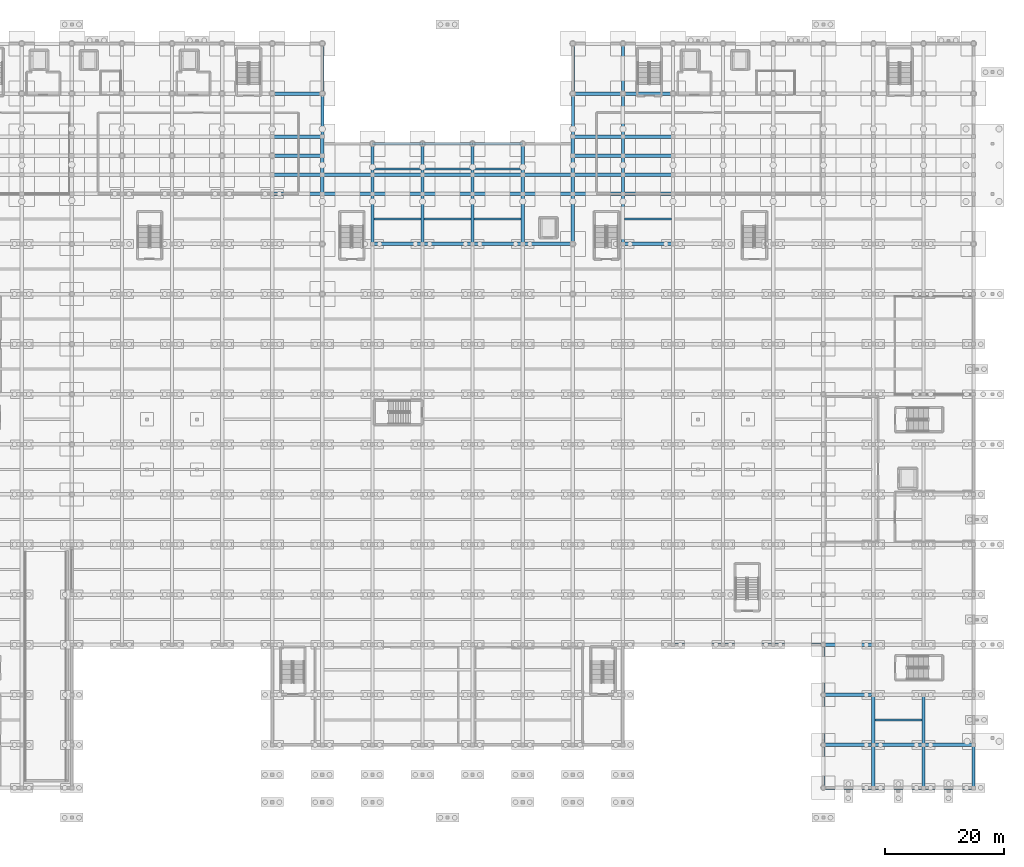
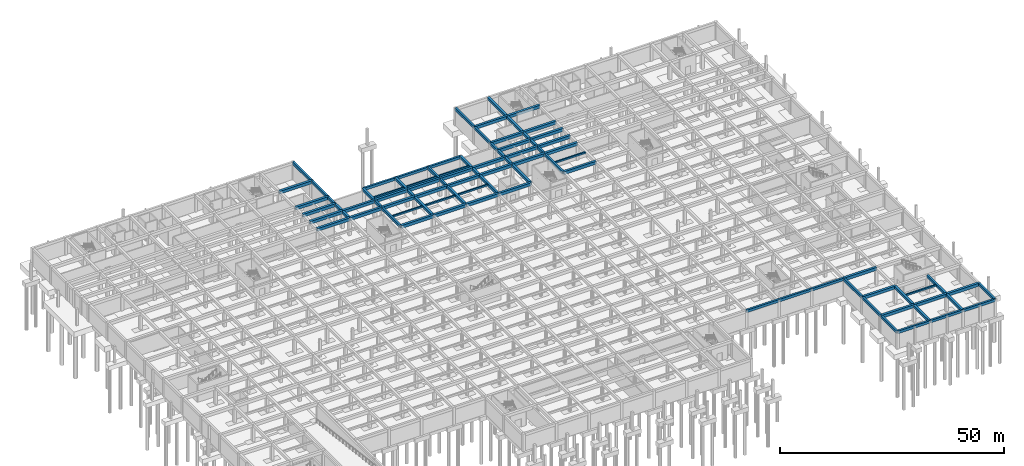
# One storey, part 20 of 51: 89 beams.
"""IFC4 building model written with IfcOpenShell, lengths in metres."""

import ifcopenshell
import ifcopenshell.guid

model = None  # the IFC model being written
_history = None  # IfcOwnerHistory: only IFC2X3 demands one
_inside = {}  # id of a spatial element -> (the spatial element, [elements in it])
_under = {}  # id of a project, library or spatial element -> (it, [spatial elements below it])
_declared = {}  # id of a project -> (the project, [libraries it declares])
_typed = {}  # id of a type object -> (the type object, [elements of that type])
_made_of = {}  # id of a material, layer set ... -> (it, [elements and type objects made of it])


def new_model(schema):
    """Start an empty IFC model of exactly this schema.

    Asked for "IFC4X3", IfcOpenShell would pick the latest addendum, in which some entities
    have other attributes; the version numbers below select the first issue.
    IFC2X3 requires an IfcOwnerHistory on every rooted entity: one is made here for all.
    """
    global model, _history
    if schema == "IFC4X3":
        model = ifcopenshell.file(schema_version=(4, 3, 0, 0))
    else:
        model = ifcopenshell.file(schema=schema)
    _inside.clear()
    _under.clear()
    _declared.clear()
    _typed.clear()
    _made_of.clear()
    _history = None
    if model.schema == "IFC2X3":
        org = make("IfcOrganization", Name="unknown")
        user = make(
            "IfcPersonAndOrganization",
            ThePerson=make("IfcPerson", FamilyName="unknown"),
            TheOrganization=org,
        )
        app = make(
            "IfcApplication",
            ApplicationDeveloper=org,
            Version="unknown",
            ApplicationFullName="unknown",
            ApplicationIdentifier="unknown",
        )
        _history = make(
            "IfcOwnerHistory",
            OwningUser=user,
            OwningApplication=app,
            ChangeAction="ADDED",
            CreationDate=0,
        )
    return model


def make(cls, **values):
    """One entity of the class cls with the attributes given. An attribute that is None is left unset."""
    return model.create_entity(
        cls, **{name: value for name, value in values.items() if value is not None}
    )


def rooted(cls, **values):
    """An entity with a GlobalId (a new one), such as an element, a storey or a relation."""
    return make(cls, GlobalId=ifcopenshell.guid.new(), OwnerHistory=_history, **values)


def si_unit(unit_type, name, prefix=None):
    """IfcSIUnit, for example si_unit("LENGTHUNIT", "METRE", prefix="MILLI")."""
    return make("IfcSIUnit", UnitType=unit_type, Prefix=prefix, Name=name)


def assignment(units):
    """IfcUnitAssignment: the units of a project."""
    return None if units is None else make("IfcUnitAssignment", Units=units)


def point(xyz):
    """IfcCartesianPoint."""
    return None if xyz is None else make("IfcCartesianPoint", Coordinates=xyz)


def direction(xyz):
    """IfcDirection."""
    return None if xyz is None else make("IfcDirection", DirectionRatios=xyz)


def frame(location, z_axis=None, x_axis=None):
    """IfcAxis2Placement3D, a coordinate frame: its origin and axes. An axis left out is left unset."""
    return make(
        "IfcAxis2Placement3D",
        Location=point(location),
        Axis=direction(z_axis),
        RefDirection=direction(x_axis),
    )


def frame_2d(location, x_axis=None):
    """IfcAxis2Placement2D, a coordinate frame in the plane: its origin and x axis."""
    return make(
        "IfcAxis2Placement2D", Location=point(location), RefDirection=direction(x_axis)
    )


def origin():
    """The frame at (0, 0, 0) with its axes left unset."""
    return frame((0.0, 0.0, 0.0))


def origin_2d():
    """The frame at (0, 0) in the plane with its x axis left unset."""
    return frame_2d((0.0, 0.0))


def place(relative_to, where):
    """IfcLocalPlacement: puts the frame where relative to a parent placement (None: the world)."""
    return make(
        "IfcLocalPlacement", PlacementRelTo=relative_to, RelativePlacement=where
    )


def context(
    kind, dimensions, precision=None, world=None, true_north=None, identifier=None
):
    """IfcGeometricRepresentationContext, for example the 3D "Model" context."""
    return make(
        "IfcGeometricRepresentationContext",
        ContextIdentifier=identifier,
        ContextType=kind,
        CoordinateSpaceDimension=dimensions,
        Precision=precision,
        WorldCoordinateSystem=world,
        TrueNorth=true_north,
    )


def subcontext(parent, identifier, kind, view, scale=None):
    """IfcGeometricRepresentationSubContext, for example "Body" below "Model"."""
    return make(
        "IfcGeometricRepresentationSubContext",
        ContextIdentifier=identifier,
        ContextType=kind,
        ParentContext=parent,
        TargetScale=scale,
        TargetView=view,
    )


def project(units=None, contexts=None):
    """IfcProject with its units and contexts."""
    return rooted(
        "IfcProject",
        Name="project",
        RepresentationContexts=contexts,
        UnitsInContext=assignment(units),
    )


def spatial(cls, under=None, at=None, **own):
    """A site, building, storey or space (cls), placed at a placement, below another one or the project."""
    s = rooted(cls, ObjectPlacement=at, **own)
    if under is not None:
        _under.setdefault(under.id(), (under, []))[1].append(s)
    return s


def profile(cls, at=None, kind="AREA", **sizes):
    """A parametric profile (cls). Its sizes go by their IFC names, for example OverallWidth=200.0."""
    return make(cls, ProfileType=kind, Position=at, **sizes)


def rectangle(**sizes):
    """IfcRectangleProfileDef."""
    return profile("IfcRectangleProfileDef", **sizes)


def extrude(swept, where, along, depth):
    """IfcExtrudedAreaSolid: the profile swept, set in the frame where, extruded along a direction by depth."""
    return make(
        "IfcExtrudedAreaSolid",
        SweptArea=swept,
        Position=where,
        ExtrudedDirection=direction(along),
        Depth=depth,
    )


def shape(context_of_items, identifier, shape_type, items):
    """IfcShapeRepresentation: the items that make up one representation, for example the "Body"."""
    return make(
        "IfcShapeRepresentation",
        ContextOfItems=context_of_items,
        RepresentationIdentifier=identifier,
        RepresentationType=shape_type,
        Items=items,
    )


def material(Name=None, Category=None):
    """IfcMaterial."""
    return make("IfcMaterial", Name=Name, Category=Category)


def material_profile(
    of_material, cross_section, Name=None, Category=None, Priority=None
):
    """IfcMaterialProfile: a cross section and its material."""
    return make(
        "IfcMaterialProfile",
        Name=Name,
        Material=of_material,
        Profile=cross_section,
        Priority=Priority,
        Category=Category,
    )


def profile_set(profiles, Name=None, composite=None):
    """IfcMaterialProfileSet."""
    return make(
        "IfcMaterialProfileSet",
        Name=Name,
        MaterialProfiles=profiles,
        CompositeProfile=composite,
    )


def made_of(thing, what):
    """Note that an element or type object is made of a material, layer set ...; save() writes the relation."""
    if what is not None:
        _made_of.setdefault(what.id(), (what, []))[1].append(thing)
    return thing


def type_object(cls, material=None, **own):
    """A type object (cls), such as IfcWallType, which elements share."""
    return made_of(rooted(cls, **own), material)


def element(
    cls,
    number,
    at=None,
    inside=None,
    cuts=None,
    type_object=None,
    material=None,
    context=None,
    identifier="Body",
    shape_type=None,
    held_by="IfcProductDefinitionShape",
    body=None,
    shapes=None,
    **own,
):
    """One element of the class cls, such as IfcWall. Its Tag is "e" and its number.

    at: its placement. inside: the storey or other place that contains it. cuts: it is an
    opening in that element (IfcRelVoidsElement). A single representation is given by context,
    identifier, shape_type and body (its items); several are given by shapes. held_by: the class
    of the entity that holds the representations. save() writes the other relations.
    """
    e = rooted(cls, Tag="e%d" % number, ObjectPlacement=at, **own)
    if body is not None:
        shapes = [shape(context, identifier, shape_type, body)]
    if shapes is not None:
        e.Representation = make(held_by, Representations=shapes)
    if inside is not None:
        _inside.setdefault(inside.id(), (inside, []))[1].append(e)
    if cuts is not None:
        rooted(
            "IfcRelVoidsElement", RelatingBuildingElement=cuts, RelatedOpeningElement=e
        )
    if type_object is not None:
        _typed.setdefault(type_object.id(), (type_object, []))[1].append(e)
    return made_of(e, material)


def aggregate(whole, parts):
    """IfcRelAggregates: a whole, such as a stair, and the parts it consists of."""
    return rooted("IfcRelAggregates", RelatingObject=whole, RelatedObjects=parts)


def save(model, path):
    """Write the relations noted so far, then the file.

    IfcRelAggregates (storeys below a building ...), IfcRelContainedInSpatialStructure (elements
    in a storey), IfcRelDefinesByType, IfcRelAssociatesMaterial and IfcRelDeclares: one each for
    every whole, place, type object, material and project.
    """
    for whole, parts in _under.values():
        aggregate(whole, parts)
    for where, things in _inside.values():
        rooted(
            "IfcRelContainedInSpatialStructure",
            RelatedElements=things,
            RelatingStructure=where,
        )
    for kind, things in _typed.values():
        rooted("IfcRelDefinesByType", RelatedObjects=things, RelatingType=kind)
    for what, things in _made_of.values():
        rooted("IfcRelAssociatesMaterial", RelatedObjects=things, RelatingMaterial=what)
    for by, libraries in _declared.values():
        rooted("IfcRelDeclares", RelatingContext=by, RelatedDefinitions=libraries)
    model.write(path)


model = new_model("IFC4")

# Units and contexts
model_context = context("Model", 3, precision=1e-05, world=origin(), true_north=direction((0.0, 1.0)))
body_context = subcontext(model_context, "Body", "Model", "MODEL_VIEW")
ifc_project = project(units=[si_unit("LENGTHUNIT", "METRE"), si_unit("AREAUNIT", "SQUARE_METRE"), si_unit("VOLUMEUNIT", "CUBIC_METRE"), si_unit("PLANEANGLEUNIT", "RADIAN"), si_unit("MASSUNIT", "GRAM", prefix="KILO")], contexts=[model_context])

# Site, building, storey
site_placement = place(None, origin())
site = spatial("IfcSite", under=ifc_project, at=site_placement, CompositionType="ELEMENT")
building_placement = place(site_placement, origin())
building = spatial("IfcBuilding", under=site, at=building_placement, Name="Varncliffe General Hospital", CompositionType="ELEMENT")
storey_placement = place(building_placement, frame((0.0, 0.0, -4.800048828125)))
storey = spatial("IfcBuildingStorey", under=building, at=storey_placement, Name="B1", CompositionType="ELEMENT", Elevation=-4.800048828125)

# Beams
ifc_material = material(Name="Concrete C35/45 (CSA A23.1 35 MPa)", Category="concrete")
ifc_material_profile_1 = material_profile(ifc_material, rectangle(XDim=0.550048828125, YDim=0.699951171875, at=origin_2d()), Name="RC 550x700")
ifc_profile_set_1 = profile_set([ifc_material_profile_1], Name="Concrete C35/45 (CSA A23.1 35 MPa)")
beam_type_1 = type_object("IfcBeamType", Name="Beam B35 (Int RC 550x700)", PredefinedType="BEAM", material=ifc_profile_set_1)
for number, where, z_axis, x_axis, name in (
    (1, (67.199951171875, 99.60009765625, 4.449951171875), (0.0, 1.0, 0.0), (-1.0, 0.0, 0.0), "B1 Primary Beam B35-457"),
    (2, (67.199951171875, 102.800048828125, 4.449951171875), (0.0, 1.0, 0.0), (-1.0, 0.0, 0.0), "B1 Primary Beam B35-458"),
    (3, (67.199951171875, 106.0, 4.449951171875), (0.0, 1.0, 0.0), (-1.0, 0.0, 0.0), "B1 Primary Beam B35-459"),
):
    element("IfcBeam", number, at=place(storey_placement, frame(where, z_axis=z_axis, x_axis=x_axis)), inside=storey, type_object=beam_type_1, Name=name, PredefinedType="BEAM", context=body_context, shape_type="SweptSolid", body=[
        extrude(rectangle(XDim=0.550048828125, YDim=0.699951171875, at=origin_2d()), origin(), (0.0, 0.0, 1.0), 3.199951171875),
    ])
beam_1_placement = place(storey_placement, frame((75.60009765625, 91.199951171875, 4.449951171875), z_axis=(0.0, 1.0, 0.0), x_axis=(-1.0, 0.0, 0.0)))
element("IfcBeam", 4, at=beam_1_placement, inside=storey, type_object=beam_type_1, Name="B1 Primary Beam B35-472", PredefinedType="BEAM", context=body_context, shape_type="SweptSolid", body=[
    extrude(rectangle(XDim=0.550048828125, YDim=0.699951171875, at=origin_2d()), origin(), (0.0, 0.0, 1.0), 8.400146484375),
])
beam_2_placement = place(storey_placement, frame((75.60009765625, 99.60009765625, 4.449951171875), z_axis=(0.0, 1.0, 0.0), x_axis=(-1.0, 0.0, 0.0)))
element("IfcBeam", 5, at=beam_2_placement, inside=storey, type_object=beam_type_1, Name="B1 Primary Beam B35-473", PredefinedType="BEAM", context=body_context, shape_type="SweptSolid", body=[
    extrude(rectangle(XDim=0.550048828125, YDim=0.699951171875, at=origin_2d()), origin(), (0.0, 0.0, 1.0), 3.199951171875),
])
beam_3_placement = place(storey_placement, frame((75.60009765625, 102.800048828125, 4.449951171875), z_axis=(0.0, 1.0, 0.0), x_axis=(-1.0, 0.0, 0.0)))
element("IfcBeam", 6, at=beam_3_placement, inside=storey, type_object=beam_type_1, Name="B1 Primary Beam B35-474", PredefinedType="BEAM", context=body_context, shape_type="SweptSolid", body=[
    extrude(rectangle(XDim=0.550048828125, YDim=0.699951171875, at=origin_2d()), origin(), (0.0, 0.0, 1.0), 5.199951171875),
])
beam_4_placement = place(storey_placement, frame((84.0, 91.199951171875, 4.449951171875), z_axis=(0.0, 1.0, 0.0), x_axis=(-1.0, 0.0, 0.0)))
element("IfcBeam", 7, at=beam_4_placement, inside=storey, type_object=beam_type_1, Name="B1 Primary Beam B35-485", PredefinedType="BEAM", context=body_context, shape_type="SweptSolid", body=[
    extrude(rectangle(XDim=0.550048828125, YDim=0.699951171875, at=origin_2d()), origin(), (0.0, 0.0, 1.0), 8.400146484375),
])
beam_5_placement = place(storey_placement, frame((84.0, 99.60009765625, 4.449951171875), z_axis=(0.0, 1.0, 0.0), x_axis=(-1.0, 0.0, 0.0)))
element("IfcBeam", 8, at=beam_5_placement, inside=storey, type_object=beam_type_1, Name="B1 Primary Beam B35-486", PredefinedType="BEAM", context=body_context, shape_type="SweptSolid", body=[
    extrude(rectangle(XDim=0.550048828125, YDim=0.699951171875, at=origin_2d()), origin(), (0.0, 0.0, 1.0), 3.199951171875),
])
beam_6_placement = place(storey_placement, frame((84.0, 102.800048828125, 4.449951171875), z_axis=(0.0, 1.0, 0.0), x_axis=(-1.0, 0.0, 0.0)))
element("IfcBeam", 9, at=beam_6_placement, inside=storey, type_object=beam_type_1, Name="B1 Primary Beam B35-487", PredefinedType="BEAM", context=body_context, shape_type="SweptSolid", body=[
    extrude(rectangle(XDim=0.550048828125, YDim=0.699951171875, at=origin_2d()), origin(), (0.0, 0.0, 1.0), 5.199951171875),
])
beam_7_placement = place(storey_placement, frame((92.39990234375, 91.199951171875, 4.449951171875), z_axis=(0.0, 1.0, 0.0), x_axis=(-1.0, 0.0, 0.0)))
element("IfcBeam", 10, at=beam_7_placement, inside=storey, type_object=beam_type_1, Name="B1 Primary Beam B35-498", PredefinedType="BEAM", context=body_context, shape_type="SweptSolid", body=[
    extrude(rectangle(XDim=0.550048828125, YDim=0.699951171875, at=origin_2d()), origin(), (0.0, 0.0, 1.0), 8.400146484375),
])
beam_8_placement = place(storey_placement, frame((92.39990234375, 99.60009765625, 4.449951171875), z_axis=(0.0, 1.0, 0.0), x_axis=(-1.0, 0.0, 0.0)))
element("IfcBeam", 11, at=beam_8_placement, inside=storey, type_object=beam_type_1, Name="B1 Primary Beam B35-499", PredefinedType="BEAM", context=body_context, shape_type="SweptSolid", body=[
    extrude(rectangle(XDim=0.550048828125, YDim=0.699951171875, at=origin_2d()), origin(), (0.0, 0.0, 1.0), 3.199951171875),
])
beam_9_placement = place(storey_placement, frame((92.39990234375, 102.800048828125, 4.449951171875), z_axis=(0.0, 1.0, 0.0), x_axis=(-1.0, 0.0, 0.0)))
element("IfcBeam", 12, at=beam_9_placement, inside=storey, type_object=beam_type_1, Name="B1 Primary Beam B35-500", PredefinedType="BEAM", context=body_context, shape_type="SweptSolid", body=[
    extrude(rectangle(XDim=0.550048828125, YDim=0.699951171875, at=origin_2d()), origin(), (0.0, 0.0, 1.0), 5.199951171875),
])
beam_10_placement = place(storey_placement, frame((100.800048828125, 91.199951171875, 4.449951171875), z_axis=(0.0, 1.0, 0.0), x_axis=(-1.0, 0.0, 0.0)))
element("IfcBeam", 13, at=beam_10_placement, inside=storey, type_object=beam_type_1, Name="B1 Primary Beam B35-511", PredefinedType="BEAM", context=body_context, shape_type="SweptSolid", body=[
    extrude(rectangle(XDim=0.550048828125, YDim=0.699951171875, at=origin_2d()), origin(), (0.0, 0.0, 1.0), 8.400146484375),
])
beam_11_placement = place(storey_placement, frame((100.800048828125, 99.60009765625, 4.449951171875), z_axis=(0.0, 1.0, 0.0), x_axis=(-1.0, 0.0, 0.0)))
element("IfcBeam", 14, at=beam_11_placement, inside=storey, type_object=beam_type_1, Name="B1 Primary Beam B35-512", PredefinedType="BEAM", context=body_context, shape_type="SweptSolid", body=[
    extrude(rectangle(XDim=0.550048828125, YDim=0.699951171875, at=origin_2d()), origin(), (0.0, 0.0, 1.0), 3.199951171875),
])
beam_12_placement = place(storey_placement, frame((100.800048828125, 102.800048828125, 4.449951171875), z_axis=(0.0, 1.0, 0.0), x_axis=(-1.0, 0.0, 0.0)))
element("IfcBeam", 15, at=beam_12_placement, inside=storey, type_object=beam_type_1, Name="B1 Primary Beam B35-513", PredefinedType="BEAM", context=body_context, shape_type="SweptSolid", body=[
    extrude(rectangle(XDim=0.550048828125, YDim=0.699951171875, at=origin_2d()), origin(), (0.0, 0.0, 1.0), 5.199951171875),
])
beam_13_placement = place(storey_placement, frame((109.199951171875, 91.199951171875, 4.449951171875), z_axis=(0.0, 1.0, 0.0), x_axis=(-1.0, 0.0, 0.0)))
element("IfcBeam", 16, at=beam_13_placement, inside=storey, type_object=beam_type_1, Name="B1 Primary Beam B35-524", PredefinedType="BEAM", context=body_context, shape_type="SweptSolid", body=[
    extrude(rectangle(XDim=0.550048828125, YDim=0.699951171875, at=origin_2d()), origin(), (0.0, 0.0, 1.0), 8.400146484375),
])
for number, where, z_axis, x_axis, name in (
    (17, (109.199951171875, 99.60009765625, 4.449951171875), (0.0, 1.0, 0.0), (-1.0, 0.0, 0.0), "B1 Primary Beam B35-525"),
    (18, (109.199951171875, 102.800048828125, 4.449951171875), (0.0, 1.0, 0.0), (-1.0, 0.0, 0.0), "B1 Primary Beam B35-526"),
    (19, (109.199951171875, 106.0, 4.449951171875), (0.0, 1.0, 0.0), (-1.0, 0.0, 0.0), "B1 Primary Beam B35-527"),
):
    element("IfcBeam", number, at=place(storey_placement, frame(where, z_axis=z_axis, x_axis=x_axis)), inside=storey, type_object=beam_type_1, Name=name, PredefinedType="BEAM", context=body_context, shape_type="SweptSolid", body=[
        extrude(rectangle(XDim=0.550048828125, YDim=0.699951171875, at=origin_2d()), origin(), (0.0, 0.0, 1.0), 3.199951171875),
    ])
beam_14_placement = place(storey_placement, frame((117.60009765625, 91.199951171875, 4.449951171875), z_axis=(0.0, 1.0, 0.0), x_axis=(-1.0, 0.0, 0.0)))
element("IfcBeam", 20, at=beam_14_placement, inside=storey, type_object=beam_type_1, Name="B1 Primary Beam B35-540", PredefinedType="BEAM", context=body_context, shape_type="SweptSolid", body=[
    extrude(rectangle(XDim=0.550048828125, YDim=0.699951171875, at=origin_2d()), origin(), (0.0, 0.0, 1.0), 8.400146484375),
])
for number, where, z_axis, x_axis, name in (
    (21, (117.60009765625, 99.60009765625, 4.449951171875), (0.0, 1.0, 0.0), (-1.0, 0.0, 0.0), "B1 Primary Beam B35-541"),
    (22, (117.60009765625, 102.800048828125, 4.449951171875), (0.0, 1.0, 0.0), (-1.0, 0.0, 0.0), "B1 Primary Beam B35-542"),
    (23, (117.60009765625, 106.0, 4.449951171875), (0.0, 1.0, 0.0), (-1.0, 0.0, 0.0), "B1 Primary Beam B35-543"),
):
    element("IfcBeam", number, at=place(storey_placement, frame(where, z_axis=z_axis, x_axis=x_axis)), inside=storey, type_object=beam_type_1, Name=name, PredefinedType="BEAM", context=body_context, shape_type="SweptSolid", body=[
        extrude(rectangle(XDim=0.550048828125, YDim=0.699951171875, at=origin_2d()), origin(), (0.0, 0.0, 1.0), 3.199951171875),
    ])
beam_15_placement = place(storey_placement, frame((117.60009765625, 109.199951171875, 4.449951171875), z_axis=(0.0, 1.0, 0.0), x_axis=(-1.0, 0.0, 0.0)))
element("IfcBeam", 24, at=beam_15_placement, inside=storey, type_object=beam_type_1, Name="B1 Primary Beam B35-544", PredefinedType="BEAM", context=body_context, shape_type="SweptSolid", body=[
    extrude(rectangle(XDim=0.550048828125, YDim=0.699951171875, at=origin_2d()), origin(), (0.0, 0.0, 1.0), 7.199951171875),
])
beam_16_placement = place(storey_placement, frame((117.60009765625, 116.39990234375, 4.449951171875), z_axis=(0.0, 1.0, 0.0), x_axis=(-1.0, 0.0, 0.0)))
element("IfcBeam", 25, at=beam_16_placement, inside=storey, type_object=beam_type_1, Name="B1 Primary Beam B35-545", PredefinedType="BEAM", context=body_context, shape_type="SweptSolid", body=[
    extrude(rectangle(XDim=0.550048828125, YDim=0.699951171875, at=origin_2d()), origin(), (0.0, 0.0, 1.0), 8.400146484375),
])
beam_17_placement = place(storey_placement, frame((159.60009765625, 0.0, 4.449951171875), z_axis=(0.0, 1.0, 0.0), x_axis=(-1.0, 0.0, 0.0)))
element("IfcBeam", 26, at=beam_17_placement, inside=storey, type_object=beam_type_1, Name="B1 Primary Beam B35-605", PredefinedType="BEAM", context=body_context, shape_type="SweptSolid", body=[
    extrude(rectangle(XDim=0.550048828125, YDim=0.699951171875, at=origin_2d()), origin(), (0.0, 0.0, 1.0), 7.199951171875),
])
beam_18_placement = place(storey_placement, frame((159.60009765625, 7.199951171875, 4.449951171875), z_axis=(0.0, 1.0, 0.0), x_axis=(-1.0, 0.0, 0.0)))
element("IfcBeam", 27, at=beam_18_placement, inside=storey, type_object=beam_type_1, Name="B1 Primary Beam B35-606", PredefinedType="BEAM", context=body_context, shape_type="SweptSolid", body=[
    extrude(rectangle(XDim=0.550048828125, YDim=0.699951171875, at=origin_2d()), origin(), (0.0, 0.0, 1.0), 8.400146484375),
])
beam_19_placement = place(storey_placement, frame((168.0, 0.0, 4.449951171875), z_axis=(0.0, 1.0, 0.0), x_axis=(-1.0, 0.0, 0.0)))
element("IfcBeam", 28, at=beam_19_placement, inside=storey, type_object=beam_type_1, Name="B1 Primary Beam B35-622", PredefinedType="BEAM", context=body_context, shape_type="SweptSolid", body=[
    extrude(rectangle(XDim=0.550048828125, YDim=0.699951171875, at=origin_2d()), origin(), (0.0, 0.0, 1.0), 7.199951171875),
])
beam_20_placement = place(storey_placement, frame((168.0, 7.199951171875, 4.449951171875), z_axis=(0.0, 1.0, 0.0), x_axis=(-1.0, 0.0, 0.0)))
element("IfcBeam", 29, at=beam_20_placement, inside=storey, type_object=beam_type_1, Name="B1 Primary Beam B35-623", PredefinedType="BEAM", context=body_context, shape_type="SweptSolid", body=[
    extrude(rectangle(XDim=0.550048828125, YDim=0.699951171875, at=origin_2d()), origin(), (0.0, 0.0, 1.0), 8.400146484375),
])
ifc_material_profile_2 = material_profile(ifc_material, rectangle(XDim=0.60009765625, YDim=0.800048828125, at=origin_2d()), Name="RC 600x800")
ifc_profile_set_2 = profile_set([ifc_material_profile_2], Name="Concrete C35/45 (CSA A23.1 35 MPa)")
beam_type_2 = type_object("IfcBeamType", Name="Beam B40 (Int RC 600x800)", PredefinedType="BEAM", material=ifc_profile_set_2)
beam_21_placement = place(storey_placement, frame((151.199951171875, 7.199951171875, 4.400146484375), z_axis=(1.0, 0.0, 0.0), x_axis=(0.0, 1.0, 0.0)))
element("IfcBeam", 30, at=beam_21_placement, inside=storey, type_object=beam_type_2, Name="B1 Primary Beam B40-16", PredefinedType="BEAM", context=body_context, shape_type="SweptSolid", body=[
    extrude(rectangle(XDim=0.60009765625, YDim=0.800048828125, at=origin_2d()), origin(), (0.0, 0.0, 1.0), 8.400146484375),
])
for number, where, z_axis, x_axis, name in (
    (31, (159.60009765625, 7.199951171875, 4.400146484375), (1.0, 0.0, 0.0), (0.0, 1.0, 0.0), "B1 Primary Beam B40-17"),
    (32, (168.0, 7.199951171875, 4.400146484375), (1.0, 0.0, 0.0), (0.0, 1.0, 0.0), "B1 Primary Beam B40-18"),
):
    element("IfcBeam", number, at=place(storey_placement, frame(where, z_axis=z_axis, x_axis=x_axis)), inside=storey, type_object=beam_type_2, Name=name, PredefinedType="BEAM", context=body_context, shape_type="SweptSolid", body=[
        extrude(rectangle(XDim=0.60009765625, YDim=0.800048828125, at=origin_2d()), origin(), (0.0, 0.0, 1.0), 8.39990234375),
    ])
for number, where, z_axis, x_axis, name in (
    (33, (151.199951171875, 15.60009765625, 4.400146484375), (1.0, 0.0, 0.0), (0.0, 1.0, 0.0), "B1 Primary Beam B40-28"),
    (34, (151.199951171875, 24.0, 4.400146484375), (1.0, 0.0, 0.0), (0.0, 1.0, 0.0), "B1 Primary Beam B40-48"),
):
    element("IfcBeam", number, at=place(storey_placement, frame(where, z_axis=z_axis, x_axis=x_axis)), inside=storey, type_object=beam_type_2, Name=name, PredefinedType="BEAM", context=body_context, shape_type="SweptSolid", body=[
        extrude(rectangle(XDim=0.60009765625, YDim=0.800048828125, at=origin_2d()), origin(), (0.0, 0.0, 1.0), 8.400146484375),
    ])
for number, where, z_axis, x_axis, name in (
    (35, (75.60009765625, 91.199951171875, 4.400146484375), (1.0, 0.0, 0.0), (0.0, 1.0, 0.0), "B1 Primary Beam B40-203"),
    (36, (84.0, 91.199951171875, 4.400146484375), (1.0, 0.0, 0.0), (0.0, 1.0, 0.0), "B1 Primary Beam B40-204"),
):
    element("IfcBeam", number, at=place(storey_placement, frame(where, z_axis=z_axis, x_axis=x_axis)), inside=storey, type_object=beam_type_2, Name=name, PredefinedType="BEAM", context=body_context, shape_type="SweptSolid", body=[
        extrude(rectangle(XDim=0.60009765625, YDim=0.800048828125, at=origin_2d()), origin(), (0.0, 0.0, 1.0), 8.39990234375),
    ])
beam_22_placement = place(storey_placement, frame((92.39990234375, 91.199951171875, 4.400146484375), z_axis=(1.0, 0.0, 0.0), x_axis=(0.0, 1.0, 0.0)))
element("IfcBeam", 37, at=beam_22_placement, inside=storey, type_object=beam_type_2, Name="B1 Primary Beam B40-205", PredefinedType="BEAM", context=body_context, shape_type="SweptSolid", body=[
    extrude(rectangle(XDim=0.60009765625, YDim=0.800048828125, at=origin_2d()), origin(), (0.0, 0.0, 1.0), 8.400146484375),
])
for number, where, z_axis, x_axis, name in (
    (38, (100.800048828125, 91.199951171875, 4.400146484375), (1.0, 0.0, 0.0), (0.0, 1.0, 0.0), "B1 Primary Beam B40-206"),
    (39, (117.60009765625, 91.199951171875, 4.400146484375), (1.0, 0.0, 0.0), (0.0, 1.0, 0.0), "B1 Primary Beam B40-207"),
    (40, (58.800048828125, 99.60009765625, 4.400146484375), (1.0, 0.0, 0.0), (0.0, 1.0, 0.0), "B1 Primary Beam B40-220"),
):
    element("IfcBeam", number, at=place(storey_placement, frame(where, z_axis=z_axis, x_axis=x_axis)), inside=storey, type_object=beam_type_2, Name=name, PredefinedType="BEAM", context=body_context, shape_type="SweptSolid", body=[
        extrude(rectangle(XDim=0.60009765625, YDim=0.800048828125, at=origin_2d()), origin(), (0.0, 0.0, 1.0), 8.39990234375),
    ])
beam_23_placement = place(storey_placement, frame((67.199951171875, 99.60009765625, 4.400146484375), z_axis=(1.0, 0.0, 0.0), x_axis=(0.0, 1.0, 0.0)))
element("IfcBeam", 41, at=beam_23_placement, inside=storey, type_object=beam_type_2, Name="B1 Primary Beam B40-221", PredefinedType="BEAM", context=body_context, shape_type="SweptSolid", body=[
    extrude(rectangle(XDim=0.60009765625, YDim=0.800048828125, at=origin_2d()), origin(), (0.0, 0.0, 1.0), 8.400146484375),
])
for number, where, z_axis, x_axis, name in (
    (42, (75.60009765625, 99.60009765625, 4.400146484375), (1.0, 0.0, 0.0), (0.0, 1.0, 0.0), "B1 Primary Beam B40-222"),
    (43, (84.0, 99.60009765625, 4.400146484375), (1.0, 0.0, 0.0), (0.0, 1.0, 0.0), "B1 Primary Beam B40-223"),
):
    element("IfcBeam", number, at=place(storey_placement, frame(where, z_axis=z_axis, x_axis=x_axis)), inside=storey, type_object=beam_type_2, Name=name, PredefinedType="BEAM", context=body_context, shape_type="SweptSolid", body=[
        extrude(rectangle(XDim=0.60009765625, YDim=0.800048828125, at=origin_2d()), origin(), (0.0, 0.0, 1.0), 8.39990234375),
    ])
beam_24_placement = place(storey_placement, frame((92.39990234375, 99.60009765625, 4.400146484375), z_axis=(1.0, 0.0, 0.0), x_axis=(0.0, 1.0, 0.0)))
element("IfcBeam", 44, at=beam_24_placement, inside=storey, type_object=beam_type_2, Name="B1 Primary Beam B40-224", PredefinedType="BEAM", context=body_context, shape_type="SweptSolid", body=[
    extrude(rectangle(XDim=0.60009765625, YDim=0.800048828125, at=origin_2d()), origin(), (0.0, 0.0, 1.0), 8.400146484375),
])
beam_25_placement = place(storey_placement, frame((100.800048828125, 99.60009765625, 4.400146484375), z_axis=(1.0, 0.0, 0.0), x_axis=(0.0, 1.0, 0.0)))
element("IfcBeam", 45, at=beam_25_placement, inside=storey, type_object=beam_type_2, Name="B1 Primary Beam B40-225", PredefinedType="BEAM", context=body_context, shape_type="SweptSolid", body=[
    extrude(rectangle(XDim=0.60009765625, YDim=0.800048828125, at=origin_2d()), origin(), (0.0, 0.0, 1.0), 8.39990234375),
])
beam_26_placement = place(storey_placement, frame((109.199951171875, 99.60009765625, 4.400146484375), z_axis=(1.0, 0.0, 0.0), x_axis=(0.0, 1.0, 0.0)))
element("IfcBeam", 46, at=beam_26_placement, inside=storey, type_object=beam_type_2, Name="B1 Primary Beam B40-226", PredefinedType="BEAM", context=body_context, shape_type="SweptSolid", body=[
    extrude(rectangle(XDim=0.60009765625, YDim=0.800048828125, at=origin_2d()), origin(), (0.0, 0.0, 1.0), 8.400146484375),
])
for number, where, z_axis, x_axis, name in (
    (47, (117.60009765625, 99.60009765625, 4.400146484375), (1.0, 0.0, 0.0), (0.0, 1.0, 0.0), "B1 Primary Beam B40-227"),
    (48, (58.800048828125, 102.800048828125, 4.400146484375), (1.0, 0.0, 0.0), (0.0, 1.0, 0.0), "B1 Primary Beam B40-241"),
):
    element("IfcBeam", number, at=place(storey_placement, frame(where, z_axis=z_axis, x_axis=x_axis)), inside=storey, type_object=beam_type_2, Name=name, PredefinedType="BEAM", context=body_context, shape_type="SweptSolid", body=[
        extrude(rectangle(XDim=0.60009765625, YDim=0.800048828125, at=origin_2d()), origin(), (0.0, 0.0, 1.0), 8.39990234375),
    ])
beam_27_placement = place(storey_placement, frame((67.199951171875, 102.800048828125, 4.400146484375), z_axis=(1.0, 0.0, 0.0), x_axis=(0.0, 1.0, 0.0)))
element("IfcBeam", 49, at=beam_27_placement, inside=storey, type_object=beam_type_2, Name="B1 Primary Beam B40-242", PredefinedType="BEAM", context=body_context, shape_type="SweptSolid", body=[
    extrude(rectangle(XDim=0.60009765625, YDim=0.800048828125, at=origin_2d()), origin(), (0.0, 0.0, 1.0), 8.400146484375),
])
for number, where, z_axis, x_axis, name in (
    (50, (75.60009765625, 102.800048828125, 4.400146484375), (1.0, 0.0, 0.0), (0.0, 1.0, 0.0), "B1 Primary Beam B40-243"),
    (51, (84.0, 102.800048828125, 4.400146484375), (1.0, 0.0, 0.0), (0.0, 1.0, 0.0), "B1 Primary Beam B40-244"),
):
    element("IfcBeam", number, at=place(storey_placement, frame(where, z_axis=z_axis, x_axis=x_axis)), inside=storey, type_object=beam_type_2, Name=name, PredefinedType="BEAM", context=body_context, shape_type="SweptSolid", body=[
        extrude(rectangle(XDim=0.60009765625, YDim=0.800048828125, at=origin_2d()), origin(), (0.0, 0.0, 1.0), 8.39990234375),
    ])
beam_28_placement = place(storey_placement, frame((92.39990234375, 102.800048828125, 4.400146484375), z_axis=(1.0, 0.0, 0.0), x_axis=(0.0, 1.0, 0.0)))
element("IfcBeam", 52, at=beam_28_placement, inside=storey, type_object=beam_type_2, Name="B1 Primary Beam B40-245", PredefinedType="BEAM", context=body_context, shape_type="SweptSolid", body=[
    extrude(rectangle(XDim=0.60009765625, YDim=0.800048828125, at=origin_2d()), origin(), (0.0, 0.0, 1.0), 8.400146484375),
])
beam_29_placement = place(storey_placement, frame((100.800048828125, 102.800048828125, 4.400146484375), z_axis=(1.0, 0.0, 0.0), x_axis=(0.0, 1.0, 0.0)))
element("IfcBeam", 53, at=beam_29_placement, inside=storey, type_object=beam_type_2, Name="B1 Primary Beam B40-246", PredefinedType="BEAM", context=body_context, shape_type="SweptSolid", body=[
    extrude(rectangle(XDim=0.60009765625, YDim=0.800048828125, at=origin_2d()), origin(), (0.0, 0.0, 1.0), 8.39990234375),
])
beam_30_placement = place(storey_placement, frame((109.199951171875, 102.800048828125, 4.400146484375), z_axis=(1.0, 0.0, 0.0), x_axis=(0.0, 1.0, 0.0)))
element("IfcBeam", 54, at=beam_30_placement, inside=storey, type_object=beam_type_2, Name="B1 Primary Beam B40-247", PredefinedType="BEAM", context=body_context, shape_type="SweptSolid", body=[
    extrude(rectangle(XDim=0.60009765625, YDim=0.800048828125, at=origin_2d()), origin(), (0.0, 0.0, 1.0), 8.400146484375),
])
for number, where, z_axis, x_axis, name in (
    (55, (117.60009765625, 102.800048828125, 4.400146484375), (1.0, 0.0, 0.0), (0.0, 1.0, 0.0), "B1 Primary Beam B40-248"),
    (56, (58.800048828125, 106.0, 4.400146484375), (1.0, 0.0, 0.0), (0.0, 1.0, 0.0), "B1 Primary Beam B40-262"),
):
    element("IfcBeam", number, at=place(storey_placement, frame(where, z_axis=z_axis, x_axis=x_axis)), inside=storey, type_object=beam_type_2, Name=name, PredefinedType="BEAM", context=body_context, shape_type="SweptSolid", body=[
        extrude(rectangle(XDim=0.60009765625, YDim=0.800048828125, at=origin_2d()), origin(), (0.0, 0.0, 1.0), 8.39990234375),
    ])
beam_31_placement = place(storey_placement, frame((109.199951171875, 106.0, 4.400146484375), z_axis=(1.0, 0.0, 0.0), x_axis=(0.0, 1.0, 0.0)))
element("IfcBeam", 57, at=beam_31_placement, inside=storey, type_object=beam_type_2, Name="B1 Primary Beam B40-263", PredefinedType="BEAM", context=body_context, shape_type="SweptSolid", body=[
    extrude(rectangle(XDim=0.60009765625, YDim=0.800048828125, at=origin_2d()), origin(), (0.0, 0.0, 1.0), 8.400146484375),
])
for number, where, z_axis, x_axis, name in (
    (58, (117.60009765625, 106.0, 4.400146484375), (1.0, 0.0, 0.0), (0.0, 1.0, 0.0), "B1 Primary Beam B40-264"),
    (59, (58.800048828125, 109.199951171875, 4.400146484375), (1.0, 0.0, 0.0), (0.0, 1.0, 0.0), "B1 Primary Beam B40-281"),
):
    element("IfcBeam", number, at=place(storey_placement, frame(where, z_axis=z_axis, x_axis=x_axis)), inside=storey, type_object=beam_type_2, Name=name, PredefinedType="BEAM", context=body_context, shape_type="SweptSolid", body=[
        extrude(rectangle(XDim=0.60009765625, YDim=0.800048828125, at=origin_2d()), origin(), (0.0, 0.0, 1.0), 8.39990234375),
    ])
beam_32_placement = place(storey_placement, frame((109.199951171875, 109.199951171875, 4.400146484375), z_axis=(1.0, 0.0, 0.0), x_axis=(0.0, 1.0, 0.0)))
element("IfcBeam", 60, at=beam_32_placement, inside=storey, type_object=beam_type_2, Name="B1 Primary Beam B40-282", PredefinedType="BEAM", context=body_context, shape_type="SweptSolid", body=[
    extrude(rectangle(XDim=0.60009765625, YDim=0.800048828125, at=origin_2d()), origin(), (0.0, 0.0, 1.0), 8.400146484375),
])
for number, where, z_axis, x_axis, name in (
    (61, (117.60009765625, 109.199951171875, 4.400146484375), (1.0, 0.0, 0.0), (0.0, 1.0, 0.0), "B1 Primary Beam B40-283"),
    (62, (58.800048828125, 116.39990234375, 4.400146484375), (1.0, 0.0, 0.0), (0.0, 1.0, 0.0), "B1 Primary Beam B40-297"),
):
    element("IfcBeam", number, at=place(storey_placement, frame(where, z_axis=z_axis, x_axis=x_axis)), inside=storey, type_object=beam_type_2, Name=name, PredefinedType="BEAM", context=body_context, shape_type="SweptSolid", body=[
        extrude(rectangle(XDim=0.60009765625, YDim=0.800048828125, at=origin_2d()), origin(), (0.0, 0.0, 1.0), 8.39990234375),
    ])
beam_33_placement = place(storey_placement, frame((109.199951171875, 116.39990234375, 4.400146484375), z_axis=(1.0, 0.0, 0.0), x_axis=(0.0, 1.0, 0.0)))
element("IfcBeam", 63, at=beam_33_placement, inside=storey, type_object=beam_type_2, Name="B1 Primary Beam B40-298", PredefinedType="BEAM", context=body_context, shape_type="SweptSolid", body=[
    extrude(rectangle(XDim=0.60009765625, YDim=0.800048828125, at=origin_2d()), origin(), (0.0, 0.0, 1.0), 8.400146484375),
])
beam_34_placement = place(storey_placement, frame((117.60009765625, 116.39990234375, 4.400146484375), z_axis=(1.0, 0.0, 0.0), x_axis=(0.0, 1.0, 0.0)))
element("IfcBeam", 64, at=beam_34_placement, inside=storey, type_object=beam_type_2, Name="B1 Primary Beam B40-299", PredefinedType="BEAM", context=body_context, shape_type="SweptSolid", body=[
    extrude(rectangle(XDim=0.60009765625, YDim=0.800048828125, at=origin_2d()), origin(), (0.0, 0.0, 1.0), 8.39990234375),
])
ifc_material_profile_3 = material_profile(ifc_material, rectangle(XDim=0.35009765625, YDim=0.449951171875, at=origin_2d()), Name="RC 350x450")
ifc_profile_set_3 = profile_set([ifc_material_profile_3], Name="Concrete C35/45 (CSA A23.1 35 MPa)")
beam_type_3 = type_object("IfcBeamType", Name="Joist J55 (Int RC 350x450)", PredefinedType="JOIST", material=ifc_profile_set_3)
for number, where, z_axis, x_axis, name in (
    (65, (75.873046875, 95.39990234375, 4.574951171875), (1.0, 0.0, 0.0), (0.0, 1.0, 0.0), "B1 Secondary Floor Rib J55-77"),
    (66, (75.873046875, 103.800048828125, 4.574951171875), (1.0, 0.0, 0.0), (0.0, 1.0, 0.0), "B1 Secondary Floor Rib J55-78"),
    (67, (84.27294921875, 95.39990234375, 4.574951171875), (1.0, 0.0, 0.0), (0.0, 1.0, 0.0), "B1 Secondary Floor Rib J55-89"),
    (68, (84.27294921875, 103.800048828125, 4.574951171875), (1.0, 0.0, 0.0), (0.0, 1.0, 0.0), "B1 Secondary Floor Rib J55-90"),
    (69, (92.673095703125, 95.39990234375, 4.574951171875), (1.0, 0.0, 0.0), (0.0, 1.0, 0.0), "B1 Secondary Floor Rib J55-101"),
    (70, (92.673095703125, 103.800048828125, 4.574951171875), (1.0, 0.0, 0.0), (0.0, 1.0, 0.0), "B1 Secondary Floor Rib J55-102"),
    (71, (117.873046875, 95.39990234375, 4.574951171875), (1.0, 0.0, 0.0), (0.0, 1.0, 0.0), "B1 Secondary Floor Rib J55-128"),
    (72, (159.873046875, 11.39990234375, 4.574951171875), (1.0, 0.0, 0.0), (0.0, 1.0, 0.0), "B1 Secondary Floor Rib J55-161"),
):
    element("IfcBeam", number, at=place(storey_placement, frame(where, z_axis=z_axis, x_axis=x_axis)), inside=storey, type_object=beam_type_3, Name=name, PredefinedType="JOIST", context=body_context, shape_type="SweptSolid", body=[
        extrude(rectangle(XDim=0.35009765625, YDim=0.449951171875, at=origin_2d()), origin(), (0.0, 0.0, 1.0), 7.85400390625),
    ])
ifc_material_profile_4 = material_profile(ifc_material, rectangle(XDim=0.5, YDim=0.699951171875, at=origin_2d()), Name="RC 500x700")
ifc_profile_set_4 = profile_set([ifc_material_profile_4], Name="Concrete C35/45 (CSA A23.1 35 MPa)")
beam_type_4 = type_object("IfcBeamType", Name="Spandrel SP19 (Ext RC 500x700)", PredefinedType="SPANDREL", material=ifc_profile_set_4)
beam_35_placement = place(storey_placement, frame((151.199951171875, 0.0, 4.449951171875), z_axis=(1.0, 0.0, 0.0), x_axis=(0.0, 1.0, 0.0)))
element("IfcBeam", 73, at=beam_35_placement, inside=storey, type_object=beam_type_4, Name="B1 Spandrel Beam SP19-4", PredefinedType="SPANDREL", context=body_context, shape_type="SweptSolid", body=[
    extrude(rectangle(XDim=0.5, YDim=0.699951171875, at=origin_2d()), origin(), (0.0, 0.0, 1.0), 8.400146484375),
])
for number, where, z_axis, x_axis, name in (
    (74, (159.60009765625, 0.0, 4.449951171875), (1.0, 0.0, 0.0), (0.0, 1.0, 0.0), "B1 Spandrel Beam SP19-5"),
    (75, (168.0, 0.0, 4.449951171875), (1.0, 0.0, 0.0), (0.0, 1.0, 0.0), "B1 Spandrel Beam SP19-6"),
    (76, (126.0, 24.0, 4.449951171875), (1.0, 0.0, 0.0), (0.0, 1.0, 0.0), "B1 Spandrel Beam SP19-45"),
):
    element("IfcBeam", number, at=place(storey_placement, frame(where, z_axis=z_axis, x_axis=x_axis)), inside=storey, type_object=beam_type_4, Name=name, PredefinedType="SPANDREL", context=body_context, shape_type="SweptSolid", body=[
        extrude(rectangle(XDim=0.5, YDim=0.699951171875, at=origin_2d()), origin(), (0.0, 0.0, 1.0), 8.39990234375),
    ])
beam_36_placement = place(storey_placement, frame((134.39990234375, 24.0, 4.449951171875), z_axis=(1.0, 0.0, 0.0), x_axis=(0.0, 1.0, 0.0)))
element("IfcBeam", 77, at=beam_36_placement, inside=storey, type_object=beam_type_4, Name="B1 Spandrel Beam SP19-46", PredefinedType="SPANDREL", context=body_context, shape_type="SweptSolid", body=[
    extrude(rectangle(XDim=0.5, YDim=0.699951171875, at=origin_2d()), origin(), (0.0, 0.0, 1.0), 8.400146484375),
])
for number, where, z_axis, x_axis, name in (
    (78, (142.800048828125, 24.0, 4.449951171875), (1.0, 0.0, 0.0), (0.0, 1.0, 0.0), "B1 Spandrel Beam SP19-47"),
    (79, (75.60009765625, 108.0, 4.449951171875), (1.0, 0.0, 0.0), (0.0, 1.0, 0.0), "B1 Spandrel Beam SP19-271"),
    (80, (84.0, 108.0, 4.449951171875), (1.0, 0.0, 0.0), (0.0, 1.0, 0.0), "B1 Spandrel Beam SP19-272"),
):
    element("IfcBeam", number, at=place(storey_placement, frame(where, z_axis=z_axis, x_axis=x_axis)), inside=storey, type_object=beam_type_4, Name=name, PredefinedType="SPANDREL", context=body_context, shape_type="SweptSolid", body=[
        extrude(rectangle(XDim=0.5, YDim=0.699951171875, at=origin_2d()), origin(), (0.0, 0.0, 1.0), 8.39990234375),
    ])
beam_37_placement = place(storey_placement, frame((92.39990234375, 108.0, 4.449951171875), z_axis=(1.0, 0.0, 0.0), x_axis=(0.0, 1.0, 0.0)))
element("IfcBeam", 81, at=beam_37_placement, inside=storey, type_object=beam_type_4, Name="B1 Spandrel Beam SP19-273", PredefinedType="SPANDREL", context=body_context, shape_type="SweptSolid", body=[
    extrude(rectangle(XDim=0.5, YDim=0.699951171875, at=origin_2d()), origin(), (0.0, 0.0, 1.0), 8.400146484375),
])
beam_38_placement = place(storey_placement, frame((67.199951171875, 109.199951171875, 4.449951171875), z_axis=(0.0, 1.0, 0.0), x_axis=(-1.0, 0.0, 0.0)))
element("IfcBeam", 82, at=beam_38_placement, inside=storey, type_object=beam_type_4, Name="B1 Spandrel Beam SP19-460", PredefinedType="SPANDREL", context=body_context, shape_type="SweptSolid", body=[
    extrude(rectangle(XDim=0.5, YDim=0.699951171875, at=origin_2d()), origin(), (0.0, 0.0, 1.0), 7.199951171875),
])
beam_39_placement = place(storey_placement, frame((67.199951171875, 116.39990234375, 4.449951171875), z_axis=(0.0, 1.0, 0.0), x_axis=(-1.0, 0.0, 0.0)))
element("IfcBeam", 83, at=beam_39_placement, inside=storey, type_object=beam_type_4, Name="B1 Spandrel Beam SP19-461", PredefinedType="SPANDREL", context=body_context, shape_type="SweptSolid", body=[
    extrude(rectangle(XDim=0.5, YDim=0.699951171875, at=origin_2d()), origin(), (0.0, 0.0, 1.0), 8.400146484375),
])
beam_40_placement = place(storey_placement, frame((109.199951171875, 109.199951171875, 4.449951171875), z_axis=(0.0, 1.0, 0.0), x_axis=(-1.0, 0.0, 0.0)))
element("IfcBeam", 84, at=beam_40_placement, inside=storey, type_object=beam_type_4, Name="B1 Spandrel Beam SP19-528", PredefinedType="SPANDREL", context=body_context, shape_type="SweptSolid", body=[
    extrude(rectangle(XDim=0.5, YDim=0.699951171875, at=origin_2d()), origin(), (0.0, 0.0, 1.0), 7.199951171875),
])
beam_41_placement = place(storey_placement, frame((109.199951171875, 116.39990234375, 4.449951171875), z_axis=(0.0, 1.0, 0.0), x_axis=(-1.0, 0.0, 0.0)))
element("IfcBeam", 85, at=beam_41_placement, inside=storey, type_object=beam_type_4, Name="B1 Spandrel Beam SP19-529", PredefinedType="SPANDREL", context=body_context, shape_type="SweptSolid", body=[
    extrude(rectangle(XDim=0.5, YDim=0.699951171875, at=origin_2d()), origin(), (0.0, 0.0, 1.0), 8.400146484375),
])
beam_42_placement = place(storey_placement, frame((151.199951171875, 0.0, 4.449951171875), z_axis=(0.0, 1.0, 0.0), x_axis=(-1.0, 0.0, 0.0)))
element("IfcBeam", 86, at=beam_42_placement, inside=storey, type_object=beam_type_4, Name="B1 Spandrel Beam SP19-588", PredefinedType="SPANDREL", context=body_context, shape_type="SweptSolid", body=[
    extrude(rectangle(XDim=0.5, YDim=0.699951171875, at=origin_2d()), origin(), (0.0, 0.0, 1.0), 7.199951171875),
])
beam_43_placement = place(storey_placement, frame((151.199951171875, 7.199951171875, 4.449951171875), z_axis=(0.0, 1.0, 0.0), x_axis=(-1.0, 0.0, 0.0)))
element("IfcBeam", 87, at=beam_43_placement, inside=storey, type_object=beam_type_4, Name="B1 Spandrel Beam SP19-589", PredefinedType="SPANDREL", context=body_context, shape_type="SweptSolid", body=[
    extrude(rectangle(XDim=0.5, YDim=0.699951171875, at=origin_2d()), origin(), (0.0, 0.0, 1.0), 8.400146484375),
])
beam_44_placement = place(storey_placement, frame((151.199951171875, 15.60009765625, 4.449951171875), z_axis=(0.0, 1.0, 0.0), x_axis=(-1.0, 0.0, 0.0)))
element("IfcBeam", 88, at=beam_44_placement, inside=storey, type_object=beam_type_4, Name="B1 Spandrel Beam SP19-590", PredefinedType="SPANDREL", context=body_context, shape_type="SweptSolid", body=[
    extrude(rectangle(XDim=0.5, YDim=0.699951171875, at=origin_2d()), origin(), (0.0, 0.0, 1.0), 8.39990234375),
])
beam_45_placement = place(storey_placement, frame((176.39990234375, 0.0, 4.449951171875), z_axis=(0.0, 1.0, 0.0), x_axis=(-1.0, 0.0, 0.0)))
element("IfcBeam", 89, at=beam_45_placement, inside=storey, type_object=beam_type_4, Name="B1 Spandrel Beam SP19-637", PredefinedType="SPANDREL", context=body_context, shape_type="SweptSolid", body=[
    extrude(rectangle(XDim=0.5, YDim=0.699951171875, at=origin_2d()), origin(), (0.0, 0.0, 1.0), 7.199951171875),
])

save(model, "model.ifc")
